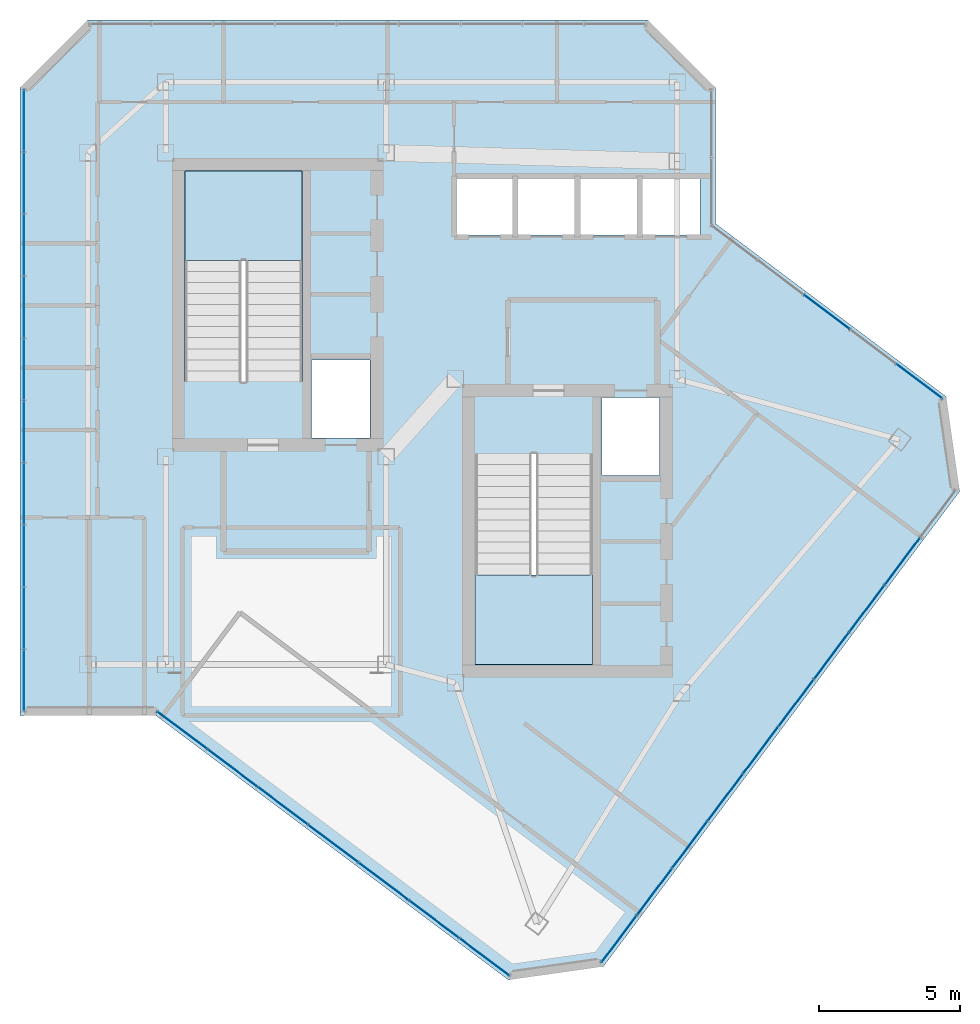
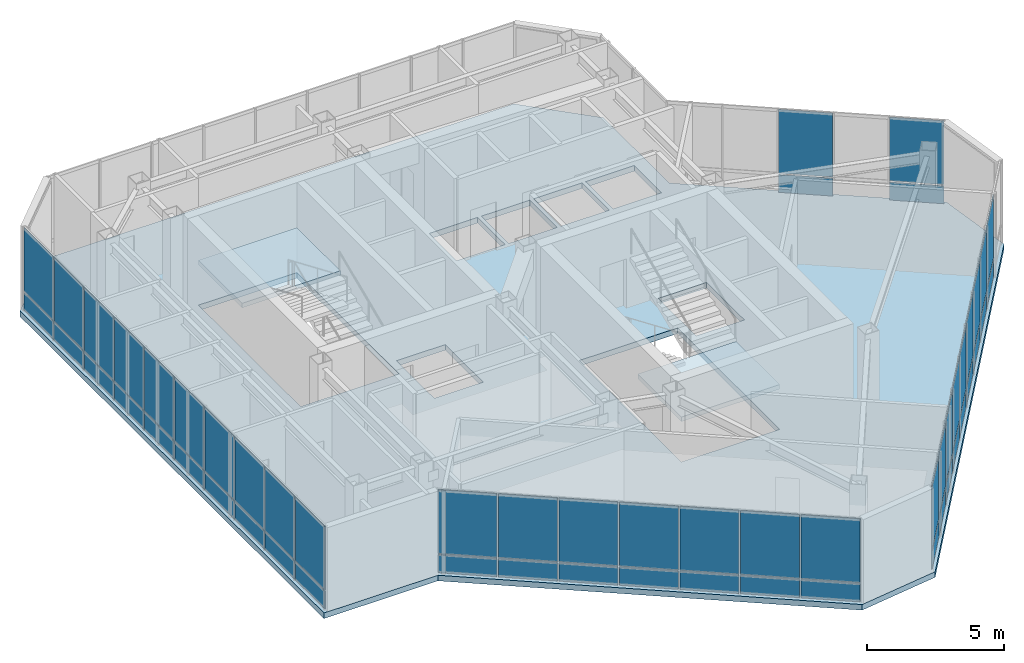
# One storey, part 24 of 30: 56 plates, 3 slabs, 6 elements without a shape of their own.
"""IFC4 building model written with IfcOpenShell, lengths in metres."""

from ifc_helpers import new_model, si_unit, direction, frame, origin, origin_2d, place, context, subcontext, project, spatial, polyline, rectangle, outline, extrude, material, layer, layer_set, type_object, element, aggregate, save


model = new_model("IFC4")

# Units and contexts
model_context = context("Model", 3, precision=1e-05, world=origin(), true_north=direction((0.0, 1.0)))
body_context = subcontext(model_context, "Body", "Model", "MODEL_VIEW")
ifc_project = project(units=[si_unit("LENGTHUNIT", "METRE"), si_unit("AREAUNIT", "SQUARE_METRE"), si_unit("VOLUMEUNIT", "CUBIC_METRE"), si_unit("PLANEANGLEUNIT", "RADIAN"), si_unit("MASSUNIT", "GRAM", prefix="KILO")], contexts=[model_context])

# Site, building, storey
site_placement = place(None, origin())
site = spatial("IfcSite", under=ifc_project, at=site_placement, CompositionType="ELEMENT")
building_placement = place(site_placement, origin())
building = spatial("IfcBuilding", under=site, at=building_placement, Name="Hatsunagi Terrace Concourse", CompositionType="ELEMENT")
storey_placement = place(building_placement, frame((0.0, 0.0, 273.949951171875)))
storey = spatial("IfcBuildingStorey", under=building, at=storey_placement, Name="L72", CompositionType="ELEMENT", Elevation=273.949951171875)

# Curtain wall, plates
ifc_material_1 = material(Name="Anodised Aluminium Alloy 6063-T5", Category="aluminium")
ifc_layer_1 = layer(ifc_material_1, 0.199951171875)
ifc_layer_set_1 = layer_set([ifc_layer_1], Name="CrownWintergarden_CW06")
curtain_wall_type = type_object("IfcCurtainWallType", Name="CrownWintergarden_CW06", PredefinedType="NOTDEFINED", material=ifc_layer_set_1)
curtain_wall_1_placement = place(storey_placement, origin())
curtain_wall_1 = element("IfcCurtainWall", 1, at=curtain_wall_1_placement, inside=storey, type_object=curtain_wall_type, Name="Unitised Curtain Wall CW-06 CW-L72-01", PredefinedType="NOTDEFINED")
ifc_material_2 = material(Name="Warm Terracotta Ceramic Spandrel Panel", Category="masonry")
ifc_layer_2 = layer(ifc_material_2, 0.031982421875)
ifc_layer_set_2 = layer_set([ifc_layer_2], Name="CurtainWallSpandrelPanel_32")
plate_type_1 = type_object("IfcPlateType", Name="CurtainWallSpandrelPanel_32", PredefinedType="SHEET", material=ifc_layer_set_2)
plate_1_placement = place(storey_placement, frame((48.945068359375, 37.666015625, 0.030029296875), z_axis=(0.0, 0.0, 1.0), x_axis=(0.800023013105, -0.599969314634, 0.0)))
plate_1 = element("IfcPlate", 2, at=plate_1_placement, type_object=plate_type_1, Name="Terracotta Spandrel Panel SPN-01", PredefinedType="SHEET", context=body_context, shape_type="SweptSolid", body=[
    extrude(rectangle(XDim=1.987060546875, YDim=0.031982421875, at=origin_2d()), origin(), (0.0, 0.0, 1.0), 0.7900390625),
])
plate_2_placement = place(storey_placement, frame((52.212890625, 35.216064453125, 0.030029296875), z_axis=(0.0, 0.0, 1.0), x_axis=(0.800023013105, -0.599969314634, 0.0)))
plate_2 = element("IfcPlate", 3, at=plate_2_placement, type_object=plate_type_1, Name="Terracotta Spandrel Panel SPN-01", PredefinedType="SHEET", context=body_context, shape_type="SweptSolid", body=[
    extrude(rectangle(XDim=1.987060546875, YDim=0.031982421875, at=origin_2d()), origin(), (0.0, 0.0, 1.0), 0.7900390625),
])

curtain_wall_2_placement = place(storey_placement, origin())
curtain_wall_2 = element("IfcCurtainWall", 4, at=curtain_wall_2_placement, inside=storey, type_object=curtain_wall_type, Name="Unitised Curtain Wall CW-06 CW-L72-03", PredefinedType="NOTDEFINED")
plate_3_placement = place(storey_placement, frame((51.614013671875, 28.85205078125, 0.030029296875), z_axis=(0.0, 0.0, 1.0), x_axis=(-0.599969314634, -0.800023013105, 0.0)))
plate_3 = element("IfcPlate", 5, at=plate_3_placement, type_object=plate_type_1, Name="Terracotta Spandrel Panel SPN-01", PredefinedType="SHEET", context=body_context, shape_type="SweptSolid", body=[
    extrude(rectangle(XDim=2.032958984375, YDim=0.031982421875, at=origin_2d()), origin(), (0.0, 0.0, 1.0), 0.7900390625),
])
plate_4_placement = place(storey_placement, frame((50.361083984375, 27.180908203125, 0.030029296875), z_axis=(0.0, 0.0, 1.0), x_axis=(-0.599969314634, -0.800023013105, 0.0)))
plate_4 = element("IfcPlate", 6, at=plate_4_placement, type_object=plate_type_1, Name="Terracotta Spandrel Panel SPN-01", PredefinedType="SHEET", context=body_context, shape_type="SweptSolid", body=[
    extrude(rectangle(XDim=2.032958984375, YDim=0.031982421875, at=origin_2d()), origin(), (0.0, 0.0, 1.0), 0.7900390625),
])
plate_5_placement = place(storey_placement, frame((49.10791015625, 25.510009765625, 0.030029296875), z_axis=(0.0, 0.0, 1.0), x_axis=(-0.599969314634, -0.800023013105, 0.0)))
plate_5 = element("IfcPlate", 7, at=plate_5_placement, type_object=plate_type_1, Name="Terracotta Spandrel Panel SPN-01", PredefinedType="SHEET", context=body_context, shape_type="SweptSolid", body=[
    extrude(rectangle(XDim=2.032958984375, YDim=0.031982421875, at=origin_2d()), origin(), (0.0, 0.0, 1.0), 0.7900390625),
])
plate_6_placement = place(storey_placement, frame((47.85498046875, 23.839111328125, 0.030029296875), z_axis=(0.0, 0.0, 1.0), x_axis=(-0.599969314634, -0.800023013105, 0.0)))
plate_6 = element("IfcPlate", 8, at=plate_6_placement, type_object=plate_type_1, Name="Terracotta Spandrel Panel SPN-01", PredefinedType="SHEET", context=body_context, shape_type="SweptSolid", body=[
    extrude(rectangle(XDim=2.032958984375, YDim=0.031982421875, at=origin_2d()), origin(), (0.0, 0.0, 1.0), 0.7900390625),
])
plate_7_placement = place(storey_placement, frame((46.60205078125, 22.1689453125, 0.030029296875), z_axis=(0.0, 0.0, 1.0), x_axis=(-0.599969314634, -0.800023013105, 0.0)))
plate_7 = element("IfcPlate", 9, at=plate_7_placement, type_object=plate_type_1, Name="Terracotta Spandrel Panel SPN-01", PredefinedType="SHEET", context=body_context, shape_type="SweptSolid", body=[
    extrude(rectangle(XDim=2.032958984375, YDim=0.031982421875, at=origin_2d()), origin(), (0.0, 0.0, 1.0), 0.7900390625),
])
plate_8_placement = place(storey_placement, frame((45.34912109375, 20.498046875, 0.030029296875), z_axis=(0.0, 0.0, 1.0), x_axis=(-0.599969314634, -0.800023013105, 0.0)))
plate_8 = element("IfcPlate", 10, at=plate_8_placement, type_object=plate_type_1, Name="Terracotta Spandrel Panel SPN-01", PredefinedType="SHEET", context=body_context, shape_type="SweptSolid", body=[
    extrude(rectangle(XDim=2.032958984375, YDim=0.031982421875, at=origin_2d()), origin(), (0.0, 0.0, 1.0), 0.7900390625),
])
plate_9_placement = place(storey_placement, frame((44.095947265625, 18.826904296875, 0.030029296875), z_axis=(0.0, 0.0, 1.0), x_axis=(-0.599969314634, -0.800023013105, 0.0)))
plate_9 = element("IfcPlate", 11, at=plate_9_placement, type_object=plate_type_1, Name="Terracotta Spandrel Panel SPN-01", PredefinedType="SHEET", context=body_context, shape_type="SweptSolid", body=[
    extrude(rectangle(XDim=2.032958984375, YDim=0.031982421875, at=origin_2d()), origin(), (0.0, 0.0, 1.0), 0.7900390625),
])
plate_10_placement = place(storey_placement, frame((42.843017578125, 17.156005859375, 0.030029296875), z_axis=(0.0, 0.0, 1.0), x_axis=(-0.599969314634, -0.800023013105, 0.0)))
plate_10 = element("IfcPlate", 12, at=plate_10_placement, type_object=plate_type_1, Name="Terracotta Spandrel Panel SPN-01", PredefinedType="SHEET", context=body_context, shape_type="SweptSolid", body=[
    extrude(rectangle(XDim=2.032958984375, YDim=0.031982421875, at=origin_2d()), origin(), (0.0, 0.0, 1.0), 0.7900390625),
])
plate_11_placement = place(storey_placement, frame((41.590087890625, 15.485107421875, 0.030029296875), z_axis=(0.0, 0.0, 1.0), x_axis=(-0.599969314634, -0.800023013105, 0.0)))
plate_11 = element("IfcPlate", 13, at=plate_11_placement, type_object=plate_type_1, Name="Terracotta Spandrel Panel SPN-01", PredefinedType="SHEET", context=body_context, shape_type="SweptSolid", body=[
    extrude(rectangle(XDim=2.032958984375, YDim=0.031982421875, at=origin_2d()), origin(), (0.0, 0.0, 1.0), 0.7900390625),
])

curtain_wall_3_placement = place(storey_placement, origin())
curtain_wall_3 = element("IfcCurtainWall", 14, at=curtain_wall_3_placement, inside=storey, type_object=curtain_wall_type, Name="Unitised Curtain Wall CW-06 CW-L72-05", PredefinedType="NOTDEFINED")
plate_12_placement = place(storey_placement, frame((36.826904296875, 14.85498046875, 0.030029296875), z_axis=(0.0, 0.0, 1.0), x_axis=(-0.800007305671, 0.599990258982, 0.0)))
plate_12 = element("IfcPlate", 15, at=plate_12_placement, type_object=plate_type_1, Name="Terracotta Spandrel Panel SPN-01", PredefinedType="SHEET", context=body_context, shape_type="SweptSolid", body=[
    extrude(rectangle(XDim=2.172119140625, YDim=0.031982421875, at=origin_2d()), origin(), (0.0, 0.0, 1.0), 0.7900390625),
])
plate_13_placement = place(storey_placement, frame((35.0458984375, 16.19091796875, 0.030029296875), z_axis=(0.0, 0.0, 1.0), x_axis=(-0.800007305671, 0.599990258982, 0.0)))
plate_13 = element("IfcPlate", 16, at=plate_13_placement, type_object=plate_type_1, Name="Terracotta Spandrel Panel SPN-01", PredefinedType="SHEET", context=body_context, shape_type="SweptSolid", body=[
    extrude(rectangle(XDim=2.172119140625, YDim=0.031982421875, at=origin_2d()), origin(), (0.0, 0.0, 1.0), 0.7900390625),
])
plate_14_placement = place(storey_placement, frame((33.263916015625, 17.527099609375, 0.030029296875), z_axis=(0.0, 0.0, 1.0), x_axis=(-0.800007305671, 0.599990258982, 0.0)))
plate_14 = element("IfcPlate", 17, at=plate_14_placement, type_object=plate_type_1, Name="Terracotta Spandrel Panel SPN-01", PredefinedType="SHEET", context=body_context, shape_type="SweptSolid", body=[
    extrude(rectangle(XDim=2.172119140625, YDim=0.031982421875, at=origin_2d()), origin(), (0.0, 0.0, 1.0), 0.7900390625),
])
plate_15_placement = place(storey_placement, frame((31.48291015625, 18.863037109375, 0.030029296875), z_axis=(0.0, 0.0, 1.0), x_axis=(-0.800007305671, 0.599990258982, 0.0)))
plate_15 = element("IfcPlate", 18, at=plate_15_placement, type_object=plate_type_1, Name="Terracotta Spandrel Panel SPN-01", PredefinedType="SHEET", context=body_context, shape_type="SweptSolid", body=[
    extrude(rectangle(XDim=2.172119140625, YDim=0.031982421875, at=origin_2d()), origin(), (0.0, 0.0, 1.0), 0.7900390625),
])
plate_16_placement = place(storey_placement, frame((29.700927734375, 20.199951171875, 0.030029296875), z_axis=(0.0, 0.0, 1.0), x_axis=(-0.800007305671, 0.599990258982, 0.0)))
plate_16 = element("IfcPlate", 19, at=plate_16_placement, type_object=plate_type_1, Name="Terracotta Spandrel Panel SPN-01", PredefinedType="SHEET", context=body_context, shape_type="SweptSolid", body=[
    extrude(rectangle(XDim=2.172119140625, YDim=0.031982421875, at=origin_2d()), origin(), (0.0, 0.0, 1.0), 0.7900390625),
])
plate_17_placement = place(storey_placement, frame((27.9189453125, 21.535888671875, 0.030029296875), z_axis=(0.0, 0.0, 1.0), x_axis=(-0.800007305671, 0.599990258982, 0.0)))
plate_17 = element("IfcPlate", 20, at=plate_17_placement, type_object=plate_type_1, Name="Terracotta Spandrel Panel SPN-01", PredefinedType="SHEET", context=body_context, shape_type="SweptSolid", body=[
    extrude(rectangle(XDim=2.172119140625, YDim=0.031982421875, at=origin_2d()), origin(), (0.0, 0.0, 1.0), 0.7900390625),
])
plate_18_placement = place(storey_placement, frame((26.137939453125, 22.8720703125, 0.030029296875), z_axis=(0.0, 0.0, 1.0), x_axis=(-0.800007305671, 0.599990258982, 0.0)))
plate_18 = element("IfcPlate", 21, at=plate_18_placement, type_object=plate_type_1, Name="Terracotta Spandrel Panel SPN-01", PredefinedType="SHEET", context=body_context, shape_type="SweptSolid", body=[
    extrude(rectangle(XDim=2.172119140625, YDim=0.031982421875, at=origin_2d()), origin(), (0.0, 0.0, 1.0), 0.7900390625),
])

curtain_wall_4_placement = place(storey_placement, origin())
curtain_wall_4 = element("IfcCurtainWall", 22, at=curtain_wall_4_placement, inside=storey, type_object=curtain_wall_type, Name="Unitised Curtain Wall CW-06 CW-L72-07", PredefinedType="NOTDEFINED")
plate_19_placement = place(storey_placement, frame((20.5400390625, 24.639892578125, 0.030029296875), z_axis=(0.0, 0.0, 1.0), x_axis=(0.0, 1.0, 0.0)))
plate_19 = element("IfcPlate", 23, at=plate_19_placement, type_object=plate_type_1, Name="Terracotta Spandrel Panel SPN-01", PredefinedType="SHEET", context=body_context, shape_type="SweptSolid", body=[
    extrude(rectangle(XDim=2.14501953125, YDim=0.031982421875, at=origin_2d()), origin(), (0.0, 0.0, 1.0), 0.7900390625),
])
plate_20_placement = place(storey_placement, frame((20.5400390625, 26.840087890625, 0.030029296875), z_axis=(0.0, 0.0, 1.0), x_axis=(0.0, 1.0, 0.0)))
plate_20 = element("IfcPlate", 24, at=plate_20_placement, type_object=plate_type_1, Name="Terracotta Spandrel Panel SPN-01", PredefinedType="SHEET", context=body_context, shape_type="SweptSolid", body=[
    extrude(rectangle(XDim=2.14501953125, YDim=0.031982421875, at=origin_2d()), origin(), (0.0, 0.0, 1.0), 0.7900390625),
])
plate_21_placement = place(storey_placement, frame((20.5400390625, 29.041015625, 0.030029296875), z_axis=(0.0, 0.0, 1.0), x_axis=(0.0, 1.0, 0.0)))
plate_21 = element("IfcPlate", 25, at=plate_21_placement, type_object=plate_type_1, Name="Terracotta Spandrel Panel SPN-01", PredefinedType="SHEET", context=body_context, shape_type="SweptSolid", body=[
    extrude(rectangle(XDim=2.14501953125, YDim=0.031982421875, at=origin_2d()), origin(), (0.0, 0.0, 1.0), 0.7900390625),
])
plate_22_placement = place(storey_placement, frame((20.5400390625, 31.240966796875, 0.030029296875), z_axis=(0.0, 0.0, 1.0), x_axis=(0.0, 1.0, 0.0)))
plate_22 = element("IfcPlate", 26, at=plate_22_placement, type_object=plate_type_1, Name="Terracotta Spandrel Panel SPN-01", PredefinedType="SHEET", context=body_context, shape_type="SweptSolid", body=[
    extrude(rectangle(XDim=2.14501953125, YDim=0.031982421875, at=origin_2d()), origin(), (0.0, 0.0, 1.0), 0.7900390625),
])
plate_23_placement = place(storey_placement, frame((20.5400390625, 33.44091796875, 0.030029296875), z_axis=(0.0, 0.0, 1.0), x_axis=(0.0, 1.0, 0.0)))
plate_23 = element("IfcPlate", 27, at=plate_23_placement, type_object=plate_type_1, Name="Terracotta Spandrel Panel SPN-01", PredefinedType="SHEET", context=body_context, shape_type="SweptSolid", body=[
    extrude(rectangle(XDim=2.14501953125, YDim=0.031982421875, at=origin_2d()), origin(), (0.0, 0.0, 1.0), 0.7900390625),
])
plate_24_placement = place(storey_placement, frame((20.5400390625, 35.64111328125, 0.030029296875), z_axis=(0.0, 0.0, 1.0), x_axis=(0.0, 1.0, 0.0)))
plate_24 = element("IfcPlate", 28, at=plate_24_placement, type_object=plate_type_1, Name="Terracotta Spandrel Panel SPN-01", PredefinedType="SHEET", context=body_context, shape_type="SweptSolid", body=[
    extrude(rectangle(XDim=2.14501953125, YDim=0.031982421875, at=origin_2d()), origin(), (0.0, 0.0, 1.0), 0.7900390625),
])
plate_25_placement = place(storey_placement, frame((20.5400390625, 37.841064453125, 0.030029296875), z_axis=(0.0, 0.0, 1.0), x_axis=(0.0, 1.0, 0.0)))
plate_25 = element("IfcPlate", 29, at=plate_25_placement, type_object=plate_type_1, Name="Terracotta Spandrel Panel SPN-01", PredefinedType="SHEET", context=body_context, shape_type="SweptSolid", body=[
    extrude(rectangle(XDim=2.14501953125, YDim=0.031982421875, at=origin_2d()), origin(), (0.0, 0.0, 1.0), 0.7900390625),
])
plate_26_placement = place(storey_placement, frame((20.5400390625, 40.041015625, 0.030029296875), z_axis=(0.0, 0.0, 1.0), x_axis=(0.0, 1.0, 0.0)))
plate_26 = element("IfcPlate", 30, at=plate_26_placement, type_object=plate_type_1, Name="Terracotta Spandrel Panel SPN-01", PredefinedType="SHEET", context=body_context, shape_type="SweptSolid", body=[
    extrude(rectangle(XDim=2.14501953125, YDim=0.031982421875, at=origin_2d()), origin(), (0.0, 0.0, 1.0), 0.7900390625),
])
plate_27_placement = place(storey_placement, frame((20.5400390625, 42.241943359375, 0.030029296875), z_axis=(0.0, 0.0, 1.0), x_axis=(0.0, 1.0, 0.0)))
plate_27 = element("IfcPlate", 31, at=plate_27_placement, type_object=plate_type_1, Name="Terracotta Spandrel Panel SPN-01", PredefinedType="SHEET", context=body_context, shape_type="SweptSolid", body=[
    extrude(rectangle(XDim=2.14501953125, YDim=0.031982421875, at=origin_2d()), origin(), (0.0, 0.0, 1.0), 0.7900390625),
])
plate_28_placement = place(storey_placement, frame((20.5400390625, 44.44189453125, 0.030029296875), z_axis=(0.0, 0.0, 1.0), x_axis=(0.0, 1.0, 0.0)))
plate_28 = element("IfcPlate", 32, at=plate_28_placement, type_object=plate_type_1, Name="Terracotta Spandrel Panel SPN-01", PredefinedType="SHEET", context=body_context, shape_type="SweptSolid", body=[
    extrude(rectangle(XDim=2.14501953125, YDim=0.031982421875, at=origin_2d()), origin(), (0.0, 0.0, 1.0), 0.7900390625),
])

# Plate
ifc_material_3 = material(Name="Low-E Double Insulating Glass 28mm", Category="glass")
ifc_layer_3 = layer(ifc_material_3, 0.028076171875)
ifc_layer_set_3 = layer_set([ifc_layer_3], Name="CurtainWallVisionGlass_28")
plate_type_2 = type_object("IfcPlateType", Name="CurtainWallVisionGlass_28", PredefinedType="CURTAIN_PANEL", material=ifc_layer_set_3)
plate_29_placement = place(storey_placement, frame((48.945068359375, 37.666015625, 0.8798828125), z_axis=(0.0, 0.0, 1.0), x_axis=(0.800023013105, -0.599969314634, 0.0)))
plate_29 = element("IfcPlate", 33, at=plate_29_placement, type_object=plate_type_2, Name="Low-E Vision Glass Panel GLZ-01", PredefinedType="CURTAIN_PANEL", context=body_context, shape_type="SweptSolid", body=[
    extrude(rectangle(XDim=1.987060546875, YDim=0.028076171875, at=origin_2d()), origin(), (0.0, 0.0, 1.0), 2.840087890625),
])

plate_30_placement = place(storey_placement, frame((52.212890625, 35.216064453125, 0.8798828125), z_axis=(0.0, 0.0, 1.0), x_axis=(0.800023013105, -0.599969314634, 0.0)))
plate_30 = element("IfcPlate", 34, at=plate_30_placement, type_object=plate_type_2, Name="Low-E Vision Glass Panel GLZ-01", PredefinedType="CURTAIN_PANEL", context=body_context, shape_type="SweptSolid", body=[
    extrude(rectangle(XDim=1.987060546875, YDim=0.028076171875, at=origin_2d()), origin(), (0.0, 0.0, 1.0), 2.840087890625),
])

aggregate(curtain_wall_1, [plate_1, plate_29, plate_2, plate_30])

plate_31_placement = place(storey_placement, frame((51.614013671875, 28.85205078125, 0.8798828125), z_axis=(0.0, 0.0, 1.0), x_axis=(-0.599969314634, -0.800023013105, 0.0)))
plate_31 = element("IfcPlate", 35, at=plate_31_placement, type_object=plate_type_2, Name="Low-E Vision Glass Panel GLZ-01", PredefinedType="CURTAIN_PANEL", context=body_context, shape_type="SweptSolid", body=[
    extrude(rectangle(XDim=2.032958984375, YDim=0.028076171875, at=origin_2d()), origin(), (0.0, 0.0, 1.0), 2.840087890625),
])

plate_32_placement = place(storey_placement, frame((50.361083984375, 27.180908203125, 0.8798828125), z_axis=(0.0, 0.0, 1.0), x_axis=(-0.599969314634, -0.800023013105, 0.0)))
plate_32 = element("IfcPlate", 36, at=plate_32_placement, type_object=plate_type_2, Name="Low-E Vision Glass Panel GLZ-01", PredefinedType="CURTAIN_PANEL", context=body_context, shape_type="SweptSolid", body=[
    extrude(rectangle(XDim=2.032958984375, YDim=0.028076171875, at=origin_2d()), origin(), (0.0, 0.0, 1.0), 2.840087890625),
])

plate_33_placement = place(storey_placement, frame((49.10791015625, 25.510009765625, 0.8798828125), z_axis=(0.0, 0.0, 1.0), x_axis=(-0.599969314634, -0.800023013105, 0.0)))
plate_33 = element("IfcPlate", 37, at=plate_33_placement, type_object=plate_type_2, Name="Low-E Vision Glass Panel GLZ-01", PredefinedType="CURTAIN_PANEL", context=body_context, shape_type="SweptSolid", body=[
    extrude(rectangle(XDim=2.032958984375, YDim=0.028076171875, at=origin_2d()), origin(), (0.0, 0.0, 1.0), 2.840087890625),
])

plate_34_placement = place(storey_placement, frame((47.85498046875, 23.839111328125, 0.8798828125), z_axis=(0.0, 0.0, 1.0), x_axis=(-0.599969314634, -0.800023013105, 0.0)))
plate_34 = element("IfcPlate", 38, at=plate_34_placement, type_object=plate_type_2, Name="Low-E Vision Glass Panel GLZ-01", PredefinedType="CURTAIN_PANEL", context=body_context, shape_type="SweptSolid", body=[
    extrude(rectangle(XDim=2.032958984375, YDim=0.028076171875, at=origin_2d()), origin(), (0.0, 0.0, 1.0), 2.840087890625),
])

plate_35_placement = place(storey_placement, frame((46.60205078125, 22.1689453125, 0.8798828125), z_axis=(0.0, 0.0, 1.0), x_axis=(-0.599969314634, -0.800023013105, 0.0)))
plate_35 = element("IfcPlate", 39, at=plate_35_placement, type_object=plate_type_2, Name="Low-E Vision Glass Panel GLZ-01", PredefinedType="CURTAIN_PANEL", context=body_context, shape_type="SweptSolid", body=[
    extrude(rectangle(XDim=2.032958984375, YDim=0.028076171875, at=origin_2d()), origin(), (0.0, 0.0, 1.0), 2.840087890625),
])

plate_36_placement = place(storey_placement, frame((45.34912109375, 20.498046875, 0.8798828125), z_axis=(0.0, 0.0, 1.0), x_axis=(-0.599969314634, -0.800023013105, 0.0)))
plate_36 = element("IfcPlate", 40, at=plate_36_placement, type_object=plate_type_2, Name="Low-E Vision Glass Panel GLZ-01", PredefinedType="CURTAIN_PANEL", context=body_context, shape_type="SweptSolid", body=[
    extrude(rectangle(XDim=2.032958984375, YDim=0.028076171875, at=origin_2d()), origin(), (0.0, 0.0, 1.0), 2.840087890625),
])

plate_37_placement = place(storey_placement, frame((44.095947265625, 18.826904296875, 0.8798828125), z_axis=(0.0, 0.0, 1.0), x_axis=(-0.599969314634, -0.800023013105, 0.0)))
plate_37 = element("IfcPlate", 41, at=plate_37_placement, type_object=plate_type_2, Name="Low-E Vision Glass Panel GLZ-01", PredefinedType="CURTAIN_PANEL", context=body_context, shape_type="SweptSolid", body=[
    extrude(rectangle(XDim=2.032958984375, YDim=0.028076171875, at=origin_2d()), origin(), (0.0, 0.0, 1.0), 2.840087890625),
])

plate_38_placement = place(storey_placement, frame((42.843017578125, 17.156005859375, 0.8798828125), z_axis=(0.0, 0.0, 1.0), x_axis=(-0.599969314634, -0.800023013105, 0.0)))
plate_38 = element("IfcPlate", 42, at=plate_38_placement, type_object=plate_type_2, Name="Low-E Vision Glass Panel GLZ-01", PredefinedType="CURTAIN_PANEL", context=body_context, shape_type="SweptSolid", body=[
    extrude(rectangle(XDim=2.032958984375, YDim=0.028076171875, at=origin_2d()), origin(), (0.0, 0.0, 1.0), 2.840087890625),
])

plate_39_placement = place(storey_placement, frame((41.590087890625, 15.485107421875, 0.8798828125), z_axis=(0.0, 0.0, 1.0), x_axis=(-0.599969314634, -0.800023013105, 0.0)))
plate_39 = element("IfcPlate", 43, at=plate_39_placement, type_object=plate_type_2, Name="Low-E Vision Glass Panel GLZ-01", PredefinedType="CURTAIN_PANEL", context=body_context, shape_type="SweptSolid", body=[
    extrude(rectangle(XDim=2.032958984375, YDim=0.028076171875, at=origin_2d()), origin(), (0.0, 0.0, 1.0), 2.840087890625),
])

aggregate(curtain_wall_2, [plate_3, plate_31, plate_4, plate_32, plate_5, plate_33, plate_6, plate_34, plate_7, plate_35, plate_8, plate_36, plate_9, plate_37, plate_10, plate_38, plate_11, plate_39])

plate_40_placement = place(storey_placement, frame((36.826904296875, 14.85498046875, 0.8798828125), z_axis=(0.0, 0.0, 1.0), x_axis=(-0.800007305671, 0.599990258982, 0.0)))
plate_40 = element("IfcPlate", 44, at=plate_40_placement, type_object=plate_type_2, Name="Low-E Vision Glass Panel GLZ-01", PredefinedType="CURTAIN_PANEL", context=body_context, shape_type="SweptSolid", body=[
    extrude(rectangle(XDim=2.172119140625, YDim=0.028076171875, at=origin_2d()), origin(), (0.0, 0.0, 1.0), 2.840087890625),
])

plate_41_placement = place(storey_placement, frame((35.0458984375, 16.19091796875, 0.8798828125), z_axis=(0.0, 0.0, 1.0), x_axis=(-0.800007305671, 0.599990258982, 0.0)))
plate_41 = element("IfcPlate", 45, at=plate_41_placement, type_object=plate_type_2, Name="Low-E Vision Glass Panel GLZ-01", PredefinedType="CURTAIN_PANEL", context=body_context, shape_type="SweptSolid", body=[
    extrude(rectangle(XDim=2.172119140625, YDim=0.028076171875, at=origin_2d()), origin(), (0.0, 0.0, 1.0), 2.840087890625),
])

plate_42_placement = place(storey_placement, frame((33.263916015625, 17.527099609375, 0.8798828125), z_axis=(0.0, 0.0, 1.0), x_axis=(-0.800007305671, 0.599990258982, 0.0)))
plate_42 = element("IfcPlate", 46, at=plate_42_placement, type_object=plate_type_2, Name="Low-E Vision Glass Panel GLZ-01", PredefinedType="CURTAIN_PANEL", context=body_context, shape_type="SweptSolid", body=[
    extrude(rectangle(XDim=2.172119140625, YDim=0.028076171875, at=origin_2d()), origin(), (0.0, 0.0, 1.0), 2.840087890625),
])

plate_43_placement = place(storey_placement, frame((31.48291015625, 18.863037109375, 0.8798828125), z_axis=(0.0, 0.0, 1.0), x_axis=(-0.800007305671, 0.599990258982, 0.0)))
plate_43 = element("IfcPlate", 47, at=plate_43_placement, type_object=plate_type_2, Name="Low-E Vision Glass Panel GLZ-01", PredefinedType="CURTAIN_PANEL", context=body_context, shape_type="SweptSolid", body=[
    extrude(rectangle(XDim=2.172119140625, YDim=0.028076171875, at=origin_2d()), origin(), (0.0, 0.0, 1.0), 2.840087890625),
])

plate_44_placement = place(storey_placement, frame((29.700927734375, 20.199951171875, 0.8798828125), z_axis=(0.0, 0.0, 1.0), x_axis=(-0.800007305671, 0.599990258982, 0.0)))
plate_44 = element("IfcPlate", 48, at=plate_44_placement, type_object=plate_type_2, Name="Low-E Vision Glass Panel GLZ-01", PredefinedType="CURTAIN_PANEL", context=body_context, shape_type="SweptSolid", body=[
    extrude(rectangle(XDim=2.172119140625, YDim=0.028076171875, at=origin_2d()), origin(), (0.0, 0.0, 1.0), 2.840087890625),
])

plate_45_placement = place(storey_placement, frame((27.9189453125, 21.535888671875, 0.8798828125), z_axis=(0.0, 0.0, 1.0), x_axis=(-0.800007305671, 0.599990258982, 0.0)))
plate_45 = element("IfcPlate", 49, at=plate_45_placement, type_object=plate_type_2, Name="Low-E Vision Glass Panel GLZ-01", PredefinedType="CURTAIN_PANEL", context=body_context, shape_type="SweptSolid", body=[
    extrude(rectangle(XDim=2.172119140625, YDim=0.028076171875, at=origin_2d()), origin(), (0.0, 0.0, 1.0), 2.840087890625),
])

plate_46_placement = place(storey_placement, frame((26.137939453125, 22.8720703125, 0.8798828125), z_axis=(0.0, 0.0, 1.0), x_axis=(-0.800007305671, 0.599990258982, 0.0)))
plate_46 = element("IfcPlate", 50, at=plate_46_placement, type_object=plate_type_2, Name="Low-E Vision Glass Panel GLZ-01", PredefinedType="CURTAIN_PANEL", context=body_context, shape_type="SweptSolid", body=[
    extrude(rectangle(XDim=2.172119140625, YDim=0.028076171875, at=origin_2d()), origin(), (0.0, 0.0, 1.0), 2.840087890625),
])

aggregate(curtain_wall_3, [plate_12, plate_40, plate_13, plate_41, plate_14, plate_42, plate_15, plate_43, plate_16, plate_44, plate_17, plate_45, plate_18, plate_46])

plate_47_placement = place(storey_placement, frame((20.5400390625, 24.639892578125, 0.8798828125), z_axis=(0.0, 0.0, 1.0), x_axis=(0.0, 1.0, 0.0)))
plate_47 = element("IfcPlate", 51, at=plate_47_placement, type_object=plate_type_2, Name="Low-E Vision Glass Panel GLZ-01", PredefinedType="CURTAIN_PANEL", context=body_context, shape_type="SweptSolid", body=[
    extrude(rectangle(XDim=2.14501953125, YDim=0.028076171875, at=origin_2d()), origin(), (0.0, 0.0, 1.0), 2.840087890625),
])

plate_48_placement = place(storey_placement, frame((20.5400390625, 26.840087890625, 0.8798828125), z_axis=(0.0, 0.0, 1.0), x_axis=(0.0, 1.0, 0.0)))
plate_48 = element("IfcPlate", 52, at=plate_48_placement, type_object=plate_type_2, Name="Low-E Vision Glass Panel GLZ-01", PredefinedType="CURTAIN_PANEL", context=body_context, shape_type="SweptSolid", body=[
    extrude(rectangle(XDim=2.14501953125, YDim=0.028076171875, at=origin_2d()), origin(), (0.0, 0.0, 1.0), 2.840087890625),
])

plate_49_placement = place(storey_placement, frame((20.5400390625, 29.041015625, 0.8798828125), z_axis=(0.0, 0.0, 1.0), x_axis=(0.0, 1.0, 0.0)))
plate_49 = element("IfcPlate", 53, at=plate_49_placement, type_object=plate_type_2, Name="Low-E Vision Glass Panel GLZ-01", PredefinedType="CURTAIN_PANEL", context=body_context, shape_type="SweptSolid", body=[
    extrude(rectangle(XDim=2.14501953125, YDim=0.028076171875, at=origin_2d()), origin(), (0.0, 0.0, 1.0), 2.840087890625),
])

plate_50_placement = place(storey_placement, frame((20.5400390625, 31.240966796875, 0.8798828125), z_axis=(0.0, 0.0, 1.0), x_axis=(0.0, 1.0, 0.0)))
plate_50 = element("IfcPlate", 54, at=plate_50_placement, type_object=plate_type_2, Name="Low-E Vision Glass Panel GLZ-01", PredefinedType="CURTAIN_PANEL", context=body_context, shape_type="SweptSolid", body=[
    extrude(rectangle(XDim=2.14501953125, YDim=0.028076171875, at=origin_2d()), origin(), (0.0, 0.0, 1.0), 2.840087890625),
])

plate_51_placement = place(storey_placement, frame((20.5400390625, 33.44091796875, 0.8798828125), z_axis=(0.0, 0.0, 1.0), x_axis=(0.0, 1.0, 0.0)))
plate_51 = element("IfcPlate", 55, at=plate_51_placement, type_object=plate_type_2, Name="Low-E Vision Glass Panel GLZ-01", PredefinedType="CURTAIN_PANEL", context=body_context, shape_type="SweptSolid", body=[
    extrude(rectangle(XDim=2.14501953125, YDim=0.028076171875, at=origin_2d()), origin(), (0.0, 0.0, 1.0), 2.840087890625),
])

plate_52_placement = place(storey_placement, frame((20.5400390625, 35.64111328125, 0.8798828125), z_axis=(0.0, 0.0, 1.0), x_axis=(0.0, 1.0, 0.0)))
plate_52 = element("IfcPlate", 56, at=plate_52_placement, type_object=plate_type_2, Name="Low-E Vision Glass Panel GLZ-01", PredefinedType="CURTAIN_PANEL", context=body_context, shape_type="SweptSolid", body=[
    extrude(rectangle(XDim=2.14501953125, YDim=0.028076171875, at=origin_2d()), origin(), (0.0, 0.0, 1.0), 2.840087890625),
])

plate_53_placement = place(storey_placement, frame((20.5400390625, 37.841064453125, 0.8798828125), z_axis=(0.0, 0.0, 1.0), x_axis=(0.0, 1.0, 0.0)))
plate_53 = element("IfcPlate", 57, at=plate_53_placement, type_object=plate_type_2, Name="Low-E Vision Glass Panel GLZ-01", PredefinedType="CURTAIN_PANEL", context=body_context, shape_type="SweptSolid", body=[
    extrude(rectangle(XDim=2.14501953125, YDim=0.028076171875, at=origin_2d()), origin(), (0.0, 0.0, 1.0), 2.840087890625),
])

plate_54_placement = place(storey_placement, frame((20.5400390625, 40.041015625, 0.8798828125), z_axis=(0.0, 0.0, 1.0), x_axis=(0.0, 1.0, 0.0)))
plate_54 = element("IfcPlate", 58, at=plate_54_placement, type_object=plate_type_2, Name="Low-E Vision Glass Panel GLZ-01", PredefinedType="CURTAIN_PANEL", context=body_context, shape_type="SweptSolid", body=[
    extrude(rectangle(XDim=2.14501953125, YDim=0.028076171875, at=origin_2d()), origin(), (0.0, 0.0, 1.0), 2.840087890625),
])

plate_55_placement = place(storey_placement, frame((20.5400390625, 42.241943359375, 0.8798828125), z_axis=(0.0, 0.0, 1.0), x_axis=(0.0, 1.0, 0.0)))
plate_55 = element("IfcPlate", 59, at=plate_55_placement, type_object=plate_type_2, Name="Low-E Vision Glass Panel GLZ-01", PredefinedType="CURTAIN_PANEL", context=body_context, shape_type="SweptSolid", body=[
    extrude(rectangle(XDim=2.14501953125, YDim=0.028076171875, at=origin_2d()), origin(), (0.0, 0.0, 1.0), 2.840087890625),
])

plate_56_placement = place(storey_placement, frame((20.5400390625, 44.44189453125, 0.8798828125), z_axis=(0.0, 0.0, 1.0), x_axis=(0.0, 1.0, 0.0)))
plate_56 = element("IfcPlate", 60, at=plate_56_placement, type_object=plate_type_2, Name="Low-E Vision Glass Panel GLZ-01", PredefinedType="CURTAIN_PANEL", context=body_context, shape_type="SweptSolid", body=[
    extrude(rectangle(XDim=2.14501953125, YDim=0.028076171875, at=origin_2d()), origin(), (0.0, 0.0, 1.0), 2.840087890625),
])

aggregate(curtain_wall_4, [plate_19, plate_47, plate_20, plate_48, plate_21, plate_49, plate_22, plate_50, plate_23, plate_51, plate_24, plate_52, plate_25, plate_53, plate_26, plate_54, plate_27, plate_55, plate_28, plate_56])

# Stair, slab
ifc_material_4 = material(Name="Concrete Fc42", Category="concrete")
stair_type = type_object("IfcStairType", Name="DoglegExitStair_Tower2000_24R_167", PredefinedType="HALF_TURN_STAIR", material=ifc_material_4)
stair_1_placement = place(storey_placement, origin())
stair_1 = element("IfcStair", 61, at=stair_1_placement, inside=storey, type_object=stair_type, Name="L72 Core A Protected Exit Stair ST-A", PredefinedType="HALF_TURN_STAIR")
ifc_material_5 = material(Name="Concrete Fc42", Category="concrete")
ifc_layer_4 = layer(ifc_material_5, 0.199951171875)
ifc_layer_set_4 = layer_set([ifc_layer_4], Name="DoglegStairLanding_Tower2000")
slab_type_1 = type_object("IfcSlabType", Name="DoglegStairLanding_Tower2000", PredefinedType="LANDING", material=ifc_layer_set_4)
slab_1_placement = place(storey_placement, frame((0.0, 0.0, 1.800048828125)))
slab_1 = element("IfcSlab", 62, at=slab_1_placement, type_object=slab_type_1, Name="ST-A landing 1", PredefinedType="LANDING", context=body_context, shape_type="SweptSolid", body=[
    extrude(outline(polyline([(30.3798828125, 39.489990234375), (30.3798828125, 42.659912109375), (26.22998046875, 42.659912109375), (26.22998046875, 39.489990234375), (30.3798828125, 39.489990234375)])), origin(), (0.0, 0.0, 1.0), 0.199951171875),
])
aggregate(stair_1, [slab_1])

stair_2_placement = place(storey_placement, origin())
stair_2 = element("IfcStair", 63, at=stair_2_placement, inside=storey, type_object=stair_type, Name="L72 Core B Protected Exit Stair ST-B", PredefinedType="HALF_TURN_STAIR")
slab_2_placement = place(storey_placement, frame((0.0, 0.0, 1.800048828125)))
slab_2 = element("IfcSlab", 64, at=slab_2_placement, type_object=slab_type_1, Name="ST-B landing 1", PredefinedType="LANDING", context=body_context, shape_type="SweptSolid", body=[
    extrude(outline(polyline([(36.5, 28.3701171875), (36.5, 25.199951171875), (40.64990234375, 25.199951171875), (40.64990234375, 28.3701171875), (36.5, 28.3701171875)])), origin(), (0.0, 0.0, 1.0), 0.199951171875),
])
aggregate(stair_2, [slab_2])

# Slab
ifc_material_6 = material(Name="Concrete Fc42", Category="concrete")
ifc_layer_5 = layer(ifc_material_6, 0.25)
ifc_layer_set_5 = layer_set([ifc_layer_5], Name="OfficeCrownSlab_Fc42_250")
slab_type_2 = type_object("IfcSlabType", Name="OfficeCrownSlab_Fc42_250", PredefinedType="FLOOR", material=ifc_layer_set_5)
slab_3_placement = place(storey_placement, frame((0.0, 0.0, -0.25)))
element("IfcSlab", 65, at=slab_3_placement, inside=storey, type_object=slab_type_2, Name="Floor Slab SL-250 L72", PredefinedType="FLOOR", context=body_context, shape_type="SweptSolid", body=[
    extrude(outline(polyline([(45.0, 40.800048828125), (45.0, 45.60009765625), (42.60009765625, 48.0), (22.800048828125, 48.0), (20.39990234375, 45.60009765625), (20.39990234375, 23.39990234375), (25.199951171875, 23.39990234375), (37.679931640625, 14.0400390625), (41.0400390625, 14.52001953125), (53.639892578125, 31.320068359375), (53.159912109375, 34.679931640625), (45.0, 40.800048828125)]), holes=[polyline([(26.22998046875, 35.205078125), (30.3798828125, 35.205078125), (30.3798828125, 42.659912109375), (26.22998046875, 42.659912109375), (26.22998046875, 35.205078125)]), polyline([(36.5, 25.199951171875), (40.64990234375, 25.199951171875), (40.64990234375, 32.655029296875), (36.5, 32.655029296875), (36.5, 25.199951171875)]), polyline([(30.719970703125, 33.219970703125), (32.780029296875, 33.219970703125), (32.780029296875, 35.97998046875), (30.719970703125, 35.97998046875), (30.719970703125, 33.219970703125)]), polyline([(40.97998046875, 31.8798828125), (43.02001953125, 31.8798828125), (43.02001953125, 34.639892578125), (40.97998046875, 34.639892578125), (40.97998046875, 31.8798828125)]), polyline([(35.800048828125, 40.39990234375), (37.85009765625, 40.39990234375), (37.85009765625, 42.39990234375), (35.800048828125, 42.39990234375), (35.800048828125, 40.39990234375)]), polyline([(38.0, 40.39990234375), (40.050048828125, 40.39990234375), (40.050048828125, 42.39990234375), (38.0, 42.39990234375), (38.0, 40.39990234375)]), polyline([(40.199951171875, 40.39990234375), (42.25, 40.39990234375), (42.25, 42.39990234375), (40.199951171875, 42.39990234375), (40.199951171875, 40.39990234375)]), polyline([(42.39990234375, 40.39990234375), (44.449951171875, 40.39990234375), (44.449951171875, 42.39990234375), (42.39990234375, 42.39990234375), (42.39990234375, 40.39990234375)])]), origin(), (0.0, 0.0, 1.0), 0.25),
])

save(model, "model.ifc")
